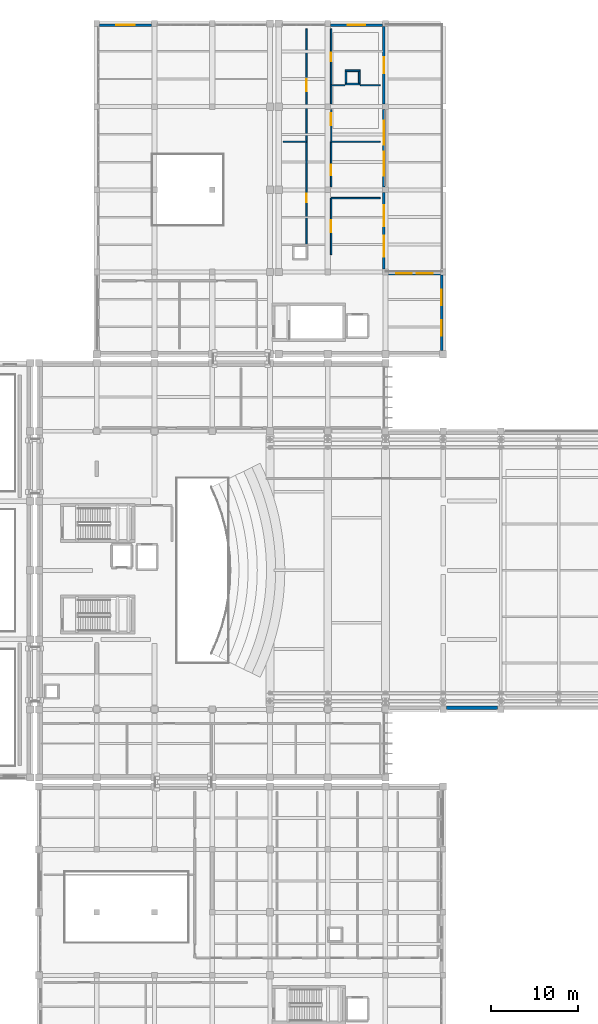
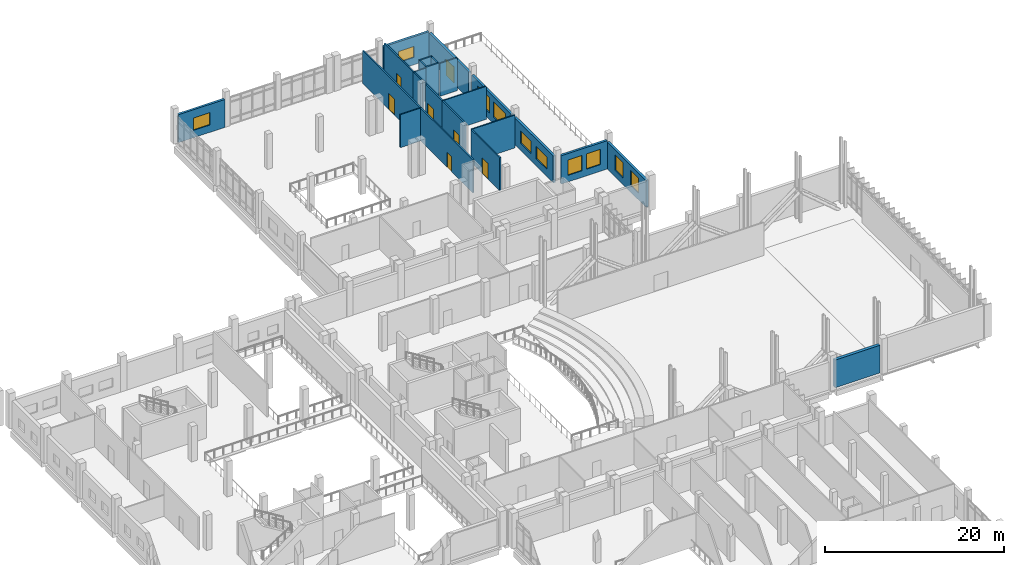
# One storey, part 56 of 73: 24 walls, 10 windows, 7 doors, 17 openings.
"""IFC4 building model written with IfcOpenShell, lengths in metres."""

import ifcopenshell
import ifcopenshell.guid

model = None  # the IFC model being written
_history = None  # IfcOwnerHistory: only IFC2X3 demands one
_inside = {}  # id of a spatial element -> (the spatial element, [elements in it])
_under = {}  # id of a project, library or spatial element -> (it, [spatial elements below it])
_declared = {}  # id of a project -> (the project, [libraries it declares])
_typed = {}  # id of a type object -> (the type object, [elements of that type])
_made_of = {}  # id of a material, layer set ... -> (it, [elements and type objects made of it])


def new_model(schema):
    """Start an empty IFC model of exactly this schema.

    Asked for "IFC4X3", IfcOpenShell would pick the latest addendum, in which some entities
    have other attributes; the version numbers below select the first issue.
    IFC2X3 requires an IfcOwnerHistory on every rooted entity: one is made here for all.
    """
    global model, _history
    if schema == "IFC4X3":
        model = ifcopenshell.file(schema_version=(4, 3, 0, 0))
    else:
        model = ifcopenshell.file(schema=schema)
    _inside.clear()
    _under.clear()
    _declared.clear()
    _typed.clear()
    _made_of.clear()
    _history = None
    if model.schema == "IFC2X3":
        org = make("IfcOrganization", Name="unknown")
        user = make(
            "IfcPersonAndOrganization",
            ThePerson=make("IfcPerson", FamilyName="unknown"),
            TheOrganization=org,
        )
        app = make(
            "IfcApplication",
            ApplicationDeveloper=org,
            Version="unknown",
            ApplicationFullName="unknown",
            ApplicationIdentifier="unknown",
        )
        _history = make(
            "IfcOwnerHistory",
            OwningUser=user,
            OwningApplication=app,
            ChangeAction="ADDED",
            CreationDate=0,
        )
    return model


def make(cls, **values):
    """One entity of the class cls with the attributes given. An attribute that is None is left unset."""
    return model.create_entity(
        cls, **{name: value for name, value in values.items() if value is not None}
    )


def rooted(cls, **values):
    """An entity with a GlobalId (a new one), such as an element, a storey or a relation."""
    return make(cls, GlobalId=ifcopenshell.guid.new(), OwnerHistory=_history, **values)


def si_unit(unit_type, name, prefix=None):
    """IfcSIUnit, for example si_unit("LENGTHUNIT", "METRE", prefix="MILLI")."""
    return make("IfcSIUnit", UnitType=unit_type, Prefix=prefix, Name=name)


def assignment(units):
    """IfcUnitAssignment: the units of a project."""
    return None if units is None else make("IfcUnitAssignment", Units=units)


def point(xyz):
    """IfcCartesianPoint."""
    return None if xyz is None else make("IfcCartesianPoint", Coordinates=xyz)


def direction(xyz):
    """IfcDirection."""
    return None if xyz is None else make("IfcDirection", DirectionRatios=xyz)


def frame(location, z_axis=None, x_axis=None):
    """IfcAxis2Placement3D, a coordinate frame: its origin and axes. An axis left out is left unset."""
    return make(
        "IfcAxis2Placement3D",
        Location=point(location),
        Axis=direction(z_axis),
        RefDirection=direction(x_axis),
    )


def frame_2d(location, x_axis=None):
    """IfcAxis2Placement2D, a coordinate frame in the plane: its origin and x axis."""
    return make(
        "IfcAxis2Placement2D", Location=point(location), RefDirection=direction(x_axis)
    )


def origin():
    """The frame at (0, 0, 0) with its axes left unset."""
    return frame((0.0, 0.0, 0.0))


def place(relative_to, where):
    """IfcLocalPlacement: puts the frame where relative to a parent placement (None: the world)."""
    return make(
        "IfcLocalPlacement", PlacementRelTo=relative_to, RelativePlacement=where
    )


def context(
    kind, dimensions, precision=None, world=None, true_north=None, identifier=None
):
    """IfcGeometricRepresentationContext, for example the 3D "Model" context."""
    return make(
        "IfcGeometricRepresentationContext",
        ContextIdentifier=identifier,
        ContextType=kind,
        CoordinateSpaceDimension=dimensions,
        Precision=precision,
        WorldCoordinateSystem=world,
        TrueNorth=true_north,
    )


def subcontext(parent, identifier, kind, view, scale=None):
    """IfcGeometricRepresentationSubContext, for example "Body" below "Model"."""
    return make(
        "IfcGeometricRepresentationSubContext",
        ContextIdentifier=identifier,
        ContextType=kind,
        ParentContext=parent,
        TargetScale=scale,
        TargetView=view,
    )


def project(units=None, contexts=None):
    """IfcProject with its units and contexts."""
    return rooted(
        "IfcProject",
        Name="project",
        RepresentationContexts=contexts,
        UnitsInContext=assignment(units),
    )


def spatial(cls, under=None, at=None, **own):
    """A site, building, storey or space (cls), placed at a placement, below another one or the project."""
    s = rooted(cls, ObjectPlacement=at, **own)
    if under is not None:
        _under.setdefault(under.id(), (under, []))[1].append(s)
    return s


def profile(cls, at=None, kind="AREA", **sizes):
    """A parametric profile (cls). Its sizes go by their IFC names, for example OverallWidth=200.0."""
    return make(cls, ProfileType=kind, Position=at, **sizes)


def rectangle(**sizes):
    """IfcRectangleProfileDef."""
    return profile("IfcRectangleProfileDef", **sizes)


def extrude(swept, where, along, depth):
    """IfcExtrudedAreaSolid: the profile swept, set in the frame where, extruded along a direction by depth."""
    return make(
        "IfcExtrudedAreaSolid",
        SweptArea=swept,
        Position=where,
        ExtrudedDirection=direction(along),
        Depth=depth,
    )


def shape(context_of_items, identifier, shape_type, items):
    """IfcShapeRepresentation: the items that make up one representation, for example the "Body"."""
    return make(
        "IfcShapeRepresentation",
        ContextOfItems=context_of_items,
        RepresentationIdentifier=identifier,
        RepresentationType=shape_type,
        Items=items,
    )


def material(Name=None, Category=None):
    """IfcMaterial."""
    return make("IfcMaterial", Name=Name, Category=Category)


def layer(
    of_material, thickness, ventilated=None, Name=None, Category=None, Priority=None
):
    """IfcMaterialLayer: one layer of a wall or slab, of a material (None: an air gap)."""
    return make(
        "IfcMaterialLayer",
        Material=of_material,
        LayerThickness=thickness,
        IsVentilated=ventilated,
        Name=Name,
        Category=Category,
        Priority=Priority,
    )


def layer_set(layers, Name=None):
    """IfcMaterialLayerSet."""
    return make("IfcMaterialLayerSet", MaterialLayers=layers, LayerSetName=Name)


def made_of(thing, what):
    """Note that an element or type object is made of a material, layer set ...; save() writes the relation."""
    if what is not None:
        _made_of.setdefault(what.id(), (what, []))[1].append(thing)
    return thing


def type_object(cls, material=None, **own):
    """A type object (cls), such as IfcWallType, which elements share."""
    return made_of(rooted(cls, **own), material)


def element(
    cls,
    number,
    at=None,
    inside=None,
    cuts=None,
    type_object=None,
    material=None,
    context=None,
    identifier="Body",
    shape_type=None,
    held_by="IfcProductDefinitionShape",
    body=None,
    shapes=None,
    **own,
):
    """One element of the class cls, such as IfcWall. Its Tag is "e" and its number.

    at: its placement. inside: the storey or other place that contains it. cuts: it is an
    opening in that element (IfcRelVoidsElement). A single representation is given by context,
    identifier, shape_type and body (its items); several are given by shapes. held_by: the class
    of the entity that holds the representations. save() writes the other relations.
    """
    e = rooted(cls, Tag="e%d" % number, ObjectPlacement=at, **own)
    if body is not None:
        shapes = [shape(context, identifier, shape_type, body)]
    if shapes is not None:
        e.Representation = make(held_by, Representations=shapes)
    if inside is not None:
        _inside.setdefault(inside.id(), (inside, []))[1].append(e)
    if cuts is not None:
        rooted(
            "IfcRelVoidsElement", RelatingBuildingElement=cuts, RelatedOpeningElement=e
        )
    if type_object is not None:
        _typed.setdefault(type_object.id(), (type_object, []))[1].append(e)
    return made_of(e, material)


def fill(opening, filler):
    """IfcRelFillsElement: the door or window that sits in an opening."""
    return rooted(
        "IfcRelFillsElement",
        RelatingOpeningElement=opening,
        RelatedBuildingElement=filler,
    )


def aggregate(whole, parts):
    """IfcRelAggregates: a whole, such as a stair, and the parts it consists of."""
    return rooted("IfcRelAggregates", RelatingObject=whole, RelatedObjects=parts)


def save(model, path):
    """Write the relations noted so far, then the file.

    IfcRelAggregates (storeys below a building ...), IfcRelContainedInSpatialStructure (elements
    in a storey), IfcRelDefinesByType, IfcRelAssociatesMaterial and IfcRelDeclares: one each for
    every whole, place, type object, material and project.
    """
    for whole, parts in _under.values():
        aggregate(whole, parts)
    for where, things in _inside.values():
        rooted(
            "IfcRelContainedInSpatialStructure",
            RelatedElements=things,
            RelatingStructure=where,
        )
    for kind, things in _typed.values():
        rooted("IfcRelDefinesByType", RelatedObjects=things, RelatingType=kind)
    for what, things in _made_of.values():
        rooted("IfcRelAssociatesMaterial", RelatedObjects=things, RelatingMaterial=what)
    for by, libraries in _declared.values():
        rooted("IfcRelDeclares", RelatingContext=by, RelatedDefinitions=libraries)
    model.write(path)


model = new_model("IFC4")

# Units and contexts
model_context = context("Model", 3, precision=1e-05, world=origin(), true_north=direction((0.0, 1.0)))
body_context = subcontext(model_context, "Body", "Model", "MODEL_VIEW")
ifc_project = project(units=[si_unit("LENGTHUNIT", "METRE"), si_unit("AREAUNIT", "SQUARE_METRE"), si_unit("VOLUMEUNIT", "CUBIC_METRE"), si_unit("PLANEANGLEUNIT", "RADIAN"), si_unit("MASSUNIT", "GRAM", prefix="KILO")], contexts=[model_context])

# Site, building, storey
site_placement = place(None, origin())
site = spatial("IfcSite", under=ifc_project, at=site_placement, CompositionType="ELEMENT")
building_placement = place(site_placement, origin())
building = spatial("IfcBuilding", under=site, at=building_placement, Name="Kelarvand Opera House", CompositionType="ELEMENT")
storey_placement = place(building_placement, frame((0.0, 0.0, 10.199951171875)))
storey = spatial("IfcBuildingStorey", under=building, at=storey_placement, Name="L02", CompositionType="ELEMENT", Elevation=10.199951171875)

# Walls
ifc_material_1 = material(Name="Concrete C35/45", Category="concrete")
ifc_layer_1 = layer(ifc_material_1, 0.39990234375, Name="Concrete C35/45", Category="concrete")
ifc_layer_set_1 = layer_set([ifc_layer_1], Name="Concrete C35/45")
wall_type_1 = type_object("IfcWallType", Name="Acoustic Brick-Travertine Double Wall 400", PredefinedType="SOLIDWALL", material=ifc_layer_set_1)
wall_1_placement = place(storey_placement, frame((141.425048828125, 46.780029296875, 0.0), z_axis=(0.0, 0.0, 1.0), x_axis=(-1.0, 0.0, 0.0)))
element("IfcWall", 1, at=wall_1_placement, inside=storey, type_object=wall_type_1, Name="V1 L02 Exterior Wall EW-400 (127)", PredefinedType="SOLIDWALL", context=body_context, shape_type="SweptSolid", body=[
    extrude(rectangle(XDim=5.85009765625, YDim=0.39990234375, at=frame_2d((2.925048828125, 0.0))), origin(), (0.0, 0.0, 1.0), 3.77197265625),
])
ifc_material_2 = material(Name="Acoustic double-stud gypsum partition")
ifc_layer_2 = layer(ifc_material_2, 0.14990234375, Name="Acoustic double-stud gypsum partition")
ifc_layer_set_2 = layer_set([ifc_layer_2], Name="Acoustic double-stud gypsum partition")
wall_type_2 = type_object("IfcWallType", Name="Acoustic Room Partition Wall 150", PredefinedType="PARTITIONING", material=ifc_layer_set_2)
wall_2_placement = place(storey_placement, frame((116.89990234375, 111.5, 0.0), z_axis=(0.0, 0.0, 1.0), x_axis=(1.0, 0.0, 0.0)))
element("IfcWall", 2, at=wall_2_placement, inside=storey, type_object=wall_type_2, Name="V5 L02 Partition Wall IW-150 (514)", PredefinedType="PARTITIONING", context=body_context, shape_type="SweptSolid", body=[
    extrude(rectangle(XDim=2.7001953125, YDim=0.14990234375, at=frame_2d((1.35009765625, 0.0))), origin(), (0.0, 0.0, 1.0), 4.491943359375),
])
for number, where, z_axis, x_axis, name in (
    (3, (122.39990234375, 105.050048828125, 0.0), (0.0, 0.0, 1.0), (1.0, 0.0, 0.0), "V5 L02 Partition Wall IW-150 (517)"),
    (4, (122.39990234375, 111.5, 0.0), (0.0, 0.0, 1.0), (1.0, 0.0, 0.0), "V5 L02 Partition Wall IW-150 (519)"),
):
    element("IfcWall", number, at=place(storey_placement, frame(where, z_axis=z_axis, x_axis=x_axis)), inside=storey, type_object=wall_type_2, Name=name, PredefinedType="PARTITIONING", context=body_context, shape_type="SweptSolid", body=[
        extrude(rectangle(XDim=5.60009765625, YDim=0.14990234375, at=frame_2d((2.800048828125, 0.0))), origin(), (0.0, 0.0, 1.0), 4.491943359375),
    ])
wall_3_placement = place(storey_placement, frame((122.39990234375, 117.949951171875, 0.0), z_axis=(0.0, 0.0, 1.0), x_axis=(1.0, 0.0, 0.0)))
element("IfcWall", 5, at=wall_3_placement, inside=storey, type_object=wall_type_2, Name="V5 L02 Partition Wall IW-150 (522)", PredefinedType="PARTITIONING", context=body_context, shape_type="SweptSolid", body=[
    extrude(rectangle(XDim=1.56005859375, YDim=0.14990234375, at=frame_2d((0.780029296875, 0.0))), origin(), (0.0, 0.0, 1.0), 4.491943359375),
])
wall_4_placement = place(storey_placement, frame((125.739990234375, 117.949951171875, 0.0), z_axis=(0.0, 0.0, 1.0), x_axis=(1.0, 0.0, 0.0)))
element("IfcWall", 6, at=wall_4_placement, inside=storey, type_object=wall_type_2, Name="V5 L02 Partition Wall IW-150 (523)", PredefinedType="PARTITIONING", context=body_context, shape_type="SweptSolid", body=[
    extrude(rectangle(XDim=2.260009765625, YDim=0.14990234375, at=frame_2d((1.1298828125, 0.0))), origin(), (0.0, 0.0, 1.0), 4.491943359375),
])

# Wall, opening, door
ifc_layer_3 = layer(ifc_material_1, 0.179931640625, Name="Concrete C35/45", Category="concrete")
ifc_layer_set_3 = layer_set([ifc_layer_3], Name="Concrete C35/45")
wall_type_3 = type_object("IfcWallType", Name="Corridor Fire-Rated Partition Wall 180 EI90", PredefinedType="PARTITIONING", material=ifc_layer_set_3)
wall_5_placement = place(storey_placement, frame((119.60009765625, 99.739990234375, 0.0), z_axis=(0.0, 0.0, 1.0), x_axis=(0.0, 1.0, 0.0)))
wall_5 = element("IfcWall", 7, at=wall_5_placement, inside=storey, type_object=wall_type_3, Name="V5 L02 Partition Wall IW-90 (513)", PredefinedType="PARTITIONING", context=body_context, shape_type="SweptSolid", body=[
    extrude(rectangle(XDim=11.760009765625, YDim=0.179931640625, at=frame_2d((5.8798828125, 0.0))), origin(), (0.0, 0.0, 1.0), 4.491943359375),
])
opening_1_placement = place(wall_5_placement, frame((4.820068359375, 0.0, 0.0)))
opening_1 = element("IfcOpeningElement", 8, at=opening_1_placement, cuts=wall_5, Name="Opening D-09", PredefinedType="OPENING", context=body_context, shape_type="SweptSolid", body=[
    extrude(rectangle(XDim=0.97998046875, YDim=2.080078125, at=frame_2d((0.489990234375, 1.0400390625))), frame((0.0, 0.10009765625, 0.0), z_axis=(0.0, -1.0, 0.0), x_axis=(1.0, 0.0, 0.0)), (0.0, 0.0, 1.0), 0.199951171875),
])
ifc_material_3 = material(Name="Acoustic walnut-veneered hardwood", Category="wood")
door_type_1 = type_object("IfcDoorType", Name="Soloist Acoustic Timber Door 980x2080", OperationType="NOTDEFINED", PredefinedType="DOOR", material=ifc_material_3)
door_1_placement = place(opening_1_placement, origin())
door_1 = element("IfcDoor", 9, at=door_1_placement, inside=storey, type_object=door_type_1, Name="V5 L02 Door D-09 (229)", OperationType="SINGLE_SWING_LEFT", OverallHeight=2.080078125, OverallWidth=0.97998046875, PredefinedType="DOOR", context=body_context, shape_type="SweptSolid", body=[
    extrude(rectangle(XDim=0.97998046875, YDim=2.080078125, at=frame_2d((0.489990234375, 1.0400390625))), frame((0.0, 0.02490234375, 0.0), z_axis=(0.0, -1.0, 0.0), x_axis=(1.0, 0.0, 0.0)), (0.0, 0.0, 1.0), 0.050048828125),
])
fill(opening_1, door_1)

wall_6_placement = place(storey_placement, frame((119.60009765625, 111.5, 0.0), z_axis=(0.0, 0.0, 1.0), x_axis=(0.0, 1.0, 0.0)))
wall_6 = element("IfcWall", 10, at=wall_6_placement, inside=storey, type_object=wall_type_3, Name="V5 L02 Partition Wall IW-90 (515)", PredefinedType="PARTITIONING", context=body_context, shape_type="SweptSolid", body=[
    extrude(rectangle(XDim=12.89990234375, YDim=0.179931640625, at=frame_2d((6.449951171875, 0.0))), origin(), (0.0, 0.0, 1.0), 4.491943359375),
])
opening_2_placement = place(wall_6_placement, frame((5.77490234375, 0.0, 0.0)))
opening_2 = element("IfcOpeningElement", 11, at=opening_2_placement, cuts=wall_6, Name="Opening D-12", PredefinedType="OPENING", context=body_context, shape_type="SweptSolid", body=[
    extrude(rectangle(XDim=1.35009765625, YDim=2.159912109375, at=frame_2d((0.675048828125, 1.080078125))), frame((0.0, 0.10009765625, 0.0), z_axis=(0.0, -1.0, 0.0), x_axis=(1.0, 0.0, 0.0)), (0.0, 0.0, 1.0), 0.199951171875),
])
door_type_2 = type_object("IfcDoorType", Name="Wardrobe Studio Leaf-and-Half Door 1350x2160", OperationType="NOTDEFINED", PredefinedType="DOOR", material=ifc_material_3)
door_2_placement = place(opening_2_placement, origin())
door_2 = element("IfcDoor", 12, at=door_2_placement, inside=storey, type_object=door_type_2, Name="V5 L02 Door D-12 (230)", OperationType="SINGLE_SWING_RIGHT", OverallHeight=2.159912109375, OverallWidth=1.35009765625, PredefinedType="DOOR", context=body_context, shape_type="SweptSolid", body=[
    extrude(rectangle(XDim=1.35009765625, YDim=2.159912109375, at=frame_2d((0.675048828125, 1.080078125))), frame((0.0, 0.02490234375, 0.0), z_axis=(0.0, -1.0, 0.0), x_axis=(1.0, 0.0, 0.0)), (0.0, 0.0, 1.0), 0.050048828125),
])
fill(opening_2, door_2)

wall_7_placement = place(storey_placement, frame((122.39990234375, 98.60009765625, 0.0), z_axis=(0.0, 0.0, 1.0), x_axis=(0.0, 1.0, 0.0)))
wall_7 = element("IfcWall", 13, at=wall_7_placement, inside=storey, type_object=wall_type_3, Name="V5 L02 Partition Wall IW-90 (516)", PredefinedType="PARTITIONING", context=body_context, shape_type="SweptSolid", body=[
    extrude(rectangle(XDim=6.449951171875, YDim=0.179931640625, at=frame_2d((3.22509765625, 0.0))), origin(), (0.0, 0.0, 1.0), 4.491943359375),
])
opening_3_placement = place(wall_7_placement, frame((2.550048828125, 0.0, 0.0)))
opening_3 = element("IfcOpeningElement", 14, at=opening_3_placement, cuts=wall_7, Name="Opening D-12", PredefinedType="OPENING", context=body_context, shape_type="SweptSolid", body=[
    extrude(rectangle(XDim=1.35009765625, YDim=2.159912109375, at=frame_2d((0.675048828125, 1.080078125))), frame((0.0, 0.10009765625, 0.0), z_axis=(0.0, -1.0, 0.0), x_axis=(1.0, 0.0, 0.0)), (0.0, 0.0, 1.0), 0.199951171875),
])
door_3_placement = place(opening_3_placement, origin())
door_3 = element("IfcDoor", 15, at=door_3_placement, inside=storey, type_object=door_type_2, Name="V5 L02 Door D-12 (231)", OperationType="SINGLE_SWING_LEFT", OverallHeight=2.159912109375, OverallWidth=1.35009765625, PredefinedType="DOOR", context=body_context, shape_type="SweptSolid", body=[
    extrude(rectangle(XDim=1.35009765625, YDim=2.159912109375, at=frame_2d((0.675048828125, 1.080078125))), frame((0.0, 0.02490234375, 0.0), z_axis=(0.0, -1.0, 0.0), x_axis=(1.0, 0.0, 0.0)), (0.0, 0.0, 1.0), 0.050048828125),
])
fill(opening_3, door_3)

wall_8_placement = place(storey_placement, frame((122.39990234375, 106.324951171875, 0.0), z_axis=(0.0, 0.0, 1.0), x_axis=(0.0, 1.0, 0.0)))
wall_8 = element("IfcWall", 16, at=wall_8_placement, inside=storey, type_object=wall_type_3, Name="V5 L02 Partition Wall IW-90 (518)", PredefinedType="PARTITIONING", context=body_context, shape_type="SweptSolid", body=[
    extrude(rectangle(XDim=5.175048828125, YDim=0.179931640625, at=frame_2d((2.58740234375, 0.0))), origin(), (0.0, 0.0, 1.0), 4.491943359375),
])
opening_4_placement = place(wall_8_placement, frame((1.35009765625, 0.0, 0.0)))
opening_4 = element("IfcOpeningElement", 17, at=opening_4_placement, cuts=wall_8, Name="Opening D-06", PredefinedType="OPENING", context=body_context, shape_type="SweptSolid", body=[
    extrude(rectangle(XDim=1.199951171875, YDim=2.10009765625, at=frame_2d((0.60009765625, 1.050048828125))), frame((0.0, 0.10009765625, 0.0), z_axis=(0.0, -1.0, 0.0), x_axis=(1.0, 0.0, 0.0)), (0.0, 0.0, 1.0), 0.199951171875),
])
door_type_3 = type_object("IfcDoorType", Name="Accessible Suite Timber Door 1200x2100", OperationType="NOTDEFINED", PredefinedType="DOOR", material=ifc_material_3)
door_4_placement = place(opening_4_placement, origin())
door_4 = element("IfcDoor", 18, at=door_4_placement, inside=storey, type_object=door_type_3, Name="V5 L02 Door D-06 (232)", OperationType="SINGLE_SWING_RIGHT", OverallHeight=2.10009765625, OverallWidth=1.199951171875, PredefinedType="DOOR", context=body_context, shape_type="SweptSolid", body=[
    extrude(rectangle(XDim=1.199951171875, YDim=2.10009765625, at=frame_2d((0.60009765625, 1.050048828125))), frame((0.0, 0.02490234375, 0.0), z_axis=(0.0, -1.0, 0.0), x_axis=(1.0, 0.0, 0.0)), (0.0, 0.0, 1.0), 0.050048828125),
])
fill(opening_4, door_4)

wall_9_placement = place(storey_placement, frame((122.39990234375, 111.5, 0.0), z_axis=(0.0, 0.0, 1.0), x_axis=(0.0, 1.0, 0.0)))
wall_9 = element("IfcWall", 19, at=wall_9_placement, inside=storey, type_object=wall_type_3, Name="V5 L02 Partition Wall IW-90 (520)", PredefinedType="PARTITIONING", context=body_context, shape_type="SweptSolid", body=[
    extrude(rectangle(XDim=3.675048828125, YDim=0.179931640625, at=frame_2d((1.83740234375, 0.0))), origin(), (0.0, 0.0, 1.0), 4.491943359375),
])
opening_5_placement = place(wall_9_placement, frame((1.884033203125, 0.0, 0.0)))
opening_5 = element("IfcOpeningElement", 20, at=opening_5_placement, cuts=wall_9, Name="Opening D-12", PredefinedType="OPENING", context=body_context, shape_type="SweptSolid", body=[
    extrude(rectangle(XDim=1.35009765625, YDim=2.159912109375, at=frame_2d((0.675048828125, 1.080078125))), frame((0.0, 0.10009765625, 0.0), z_axis=(0.0, -1.0, 0.0), x_axis=(1.0, 0.0, 0.0)), (0.0, 0.0, 1.0), 0.199951171875),
])
door_5_placement = place(opening_5_placement, origin())
door_5 = element("IfcDoor", 21, at=door_5_placement, inside=storey, type_object=door_type_2, Name="V5 L02 Door D-12 (233)", OperationType="SINGLE_SWING_LEFT", OverallHeight=2.159912109375, OverallWidth=1.35009765625, PredefinedType="DOOR", context=body_context, shape_type="SweptSolid", body=[
    extrude(rectangle(XDim=1.35009765625, YDim=2.159912109375, at=frame_2d((0.675048828125, 1.080078125))), frame((0.0, 0.02490234375, 0.0), z_axis=(0.0, -1.0, 0.0), x_axis=(1.0, 0.0, 0.0)), (0.0, 0.0, 1.0), 0.050048828125),
])
fill(opening_5, door_5)

# Wall
wall_10_placement = place(storey_placement, frame((122.39990234375, 115.824951171875, 0.0), z_axis=(0.0, 0.0, 1.0), x_axis=(0.0, 1.0, 0.0)))
element("IfcWall", 22, at=wall_10_placement, inside=storey, type_object=wall_type_3, Name="V5 L02 Partition Wall IW-90 (521)", PredefinedType="PARTITIONING", context=body_context, shape_type="SweptSolid", body=[
    extrude(rectangle(XDim=2.125, YDim=0.179931640625, at=frame_2d((1.0625, 0.0))), origin(), (0.0, 0.0, 1.0), 4.491943359375),
])

# Wall, opening, door
wall_11_placement = place(storey_placement, frame((122.39990234375, 117.949951171875, 0.0), z_axis=(0.0, 0.0, 1.0), x_axis=(0.0, 1.0, 0.0)))
wall_11 = element("IfcWall", 23, at=wall_11_placement, inside=storey, type_object=wall_type_3, Name="V5 L02 Partition Wall IW-90 (524)", PredefinedType="PARTITIONING", context=body_context, shape_type="SweptSolid", body=[
    extrude(rectangle(XDim=6.449951171875, YDim=0.179931640625, at=frame_2d((3.22509765625, 0.0))), origin(), (0.0, 0.0, 1.0), 4.491943359375),
])
opening_6_placement = place(wall_11_placement, frame((2.735107421875, 0.0, 0.0)))
opening_6 = element("IfcOpeningElement", 24, at=opening_6_placement, cuts=wall_11, Name="Opening D-09", PredefinedType="OPENING", context=body_context, shape_type="SweptSolid", body=[
    extrude(rectangle(XDim=0.97998046875, YDim=2.080078125, at=frame_2d((0.489990234375, 1.0400390625))), frame((0.0, 0.10009765625, 0.0), z_axis=(0.0, -1.0, 0.0), x_axis=(1.0, 0.0, 0.0)), (0.0, 0.0, 1.0), 0.199951171875),
])
door_6_placement = place(opening_6_placement, origin())
door_6 = element("IfcDoor", 25, at=door_6_placement, inside=storey, type_object=door_type_1, Name="V5 L02 Door D-09 (234)", OperationType="SINGLE_SWING_RIGHT", OverallHeight=2.080078125, OverallWidth=0.97998046875, PredefinedType="DOOR", context=body_context, shape_type="SweptSolid", body=[
    extrude(rectangle(XDim=0.97998046875, YDim=2.080078125, at=frame_2d((0.489990234375, 1.0400390625))), frame((0.0, 0.02490234375, 0.0), z_axis=(0.0, -1.0, 0.0), x_axis=(1.0, 0.0, 0.0)), (0.0, 0.0, 1.0), 0.050048828125),
])
fill(opening_6, door_6)

# Wall, openings, windows
ifc_layer_4 = layer(ifc_material_1, 0.300048828125, Name="Concrete C35/45", Category="concrete")
ifc_layer_set_4 = layer_set([ifc_layer_4], Name="Concrete C35/45")
wall_type_4 = type_object("IfcWallType", Name="Insulated Buff Brick Facade Wall 300", PredefinedType="SOLIDWALL", material=ifc_layer_set_4)
wall_12_placement = place(storey_placement, frame((135.02001953125, 96.27490234375, 0.0), z_axis=(0.0, 0.0, 1.0), x_axis=(0.0, -1.0, 0.0)))
wall_12 = element("IfcWall", 26, at=wall_12_placement, inside=storey, type_object=wall_type_4, Name="V5 L02 Exterior Wall EW-300 (618)", PredefinedType="SOLIDWALL", context=body_context, shape_type="SweptSolid", body=[
    extrude(rectangle(XDim=8.664794921875, YDim=0.300048828125, at=frame_2d((4.33251953125, 0.0))), origin(), (0.0, 0.0, 1.0), 3.672119140625),
])
opening_7_placement = place(wall_12_placement, frame((1.699951171875, 0.0, 0.89990234375)))
opening_7 = element("IfcOpeningElement", 27, at=opening_7_placement, cuts=wall_12, Name="Opening WN-05", PredefinedType="OPENING", context=body_context, shape_type="SweptSolid", body=[
    extrude(rectangle(XDim=1.800048828125, YDim=2.10009765625, at=frame_2d((0.89990234375, 1.050048828125))), frame((0.0, 0.16015625, 0.0), z_axis=(0.0, -1.0, 0.0), x_axis=(1.0, 0.0, 0.0)), (0.0, 0.0, 1.0), 0.320068359375),
])
opening_8_placement = place(wall_12_placement, frame((5.166015625, 0.0, 0.89990234375)))
opening_8 = element("IfcOpeningElement", 28, at=opening_8_placement, cuts=wall_12, Name="Opening WN-05", PredefinedType="OPENING", context=body_context, shape_type="SweptSolid", body=[
    extrude(rectangle(XDim=1.800048828125, YDim=2.10009765625, at=frame_2d((0.89990234375, 1.050048828125))), frame((0.0, 0.16015625, 0.0), z_axis=(0.0, -1.0, 0.0), x_axis=(1.0, 0.0, 0.0)), (0.0, 0.0, 1.0), 0.320068359375),
])
ifc_material_4 = material(Name="Thermally broken aluminium and low-E double glazing", Category="aluminium")
window_type_1 = type_object("IfcWindowType", Name="Recessed Aluminium Thermal Window 1800x2100 WN-05", PartitioningType="SINGLE_PANEL", PredefinedType="WINDOW", material=ifc_material_4)
window_1_placement = place(opening_7_placement, origin())
window_1 = element("IfcWindow", 29, at=window_1_placement, inside=storey, type_object=window_type_1, Name="V5 L02 Facade Window WN-05 (292)", OverallHeight=2.10009765625, OverallWidth=1.800048828125, PartitioningType="SINGLE_PANEL", PredefinedType="WINDOW", context=body_context, shape_type="SweptSolid", body=[
    extrude(rectangle(XDim=1.800048828125, YDim=2.10009765625, at=frame_2d((0.89990234375, 1.050048828125))), frame((0.0, 0.030029296875, 0.0), z_axis=(0.0, -1.0, 0.0), x_axis=(1.0, 0.0, 0.0)), (0.0, 0.0, 1.0), 0.06005859375),
])
fill(opening_7, window_1)
window_2_placement = place(opening_8_placement, origin())
window_2 = element("IfcWindow", 30, at=window_2_placement, inside=storey, type_object=window_type_1, Name="V5 L02 Facade Window WN-05 (293)", OverallHeight=2.10009765625, OverallWidth=1.800048828125, PartitioningType="SINGLE_PANEL", PredefinedType="WINDOW", context=body_context, shape_type="SweptSolid", body=[
    extrude(rectangle(XDim=1.800048828125, YDim=2.10009765625, at=frame_2d((0.89990234375, 1.050048828125))), frame((0.0, 0.030029296875, 0.0), z_axis=(0.0, -1.0, 0.0), x_axis=(1.0, 0.0, 0.0)), (0.0, 0.0, 1.0), 0.06005859375),
])
fill(opening_8, window_2)

# Wall, opening, window
wall_13_placement = place(storey_placement, frame((95.925048828125, 124.820068359375, 0.0), z_axis=(0.0, 0.0, 1.0), x_axis=(1.0, 0.0, 0.0)))
wall_13 = element("IfcWall", 31, at=wall_13_placement, inside=storey, type_object=wall_type_4, Name="V5 L02 Exterior Wall EW-300 (627)", PredefinedType="SOLIDWALL", context=body_context, shape_type="SweptSolid", body=[
    extrude(rectangle(XDim=5.949951171875, YDim=0.300048828125, at=frame_2d((2.97509765625, 0.0))), origin(), (0.0, 0.0, 1.0), 3.822021484375),
])
opening_9_placement = place(wall_13_placement, frame((1.925048828125, 0.0, 1.0)))
opening_9 = element("IfcOpeningElement", 32, at=opening_9_placement, cuts=wall_13, Name="Opening WN-19", PredefinedType="OPENING", context=body_context, shape_type="SweptSolid", body=[
    extrude(rectangle(XDim=2.10009765625, YDim=1.699951171875, at=frame_2d((1.050048828125, 0.85009765625))), frame((0.0, 0.16015625, 0.0), z_axis=(0.0, -1.0, 0.0), x_axis=(1.0, 0.0, 0.0)), (0.0, 0.0, 1.0), 0.320068359375),
])
window_type_2 = type_object("IfcWindowType", Name="Recessed Aluminium Thermal Window 2100x1700 WN-19", PartitioningType="SINGLE_PANEL", PredefinedType="WINDOW", material=ifc_material_4)
window_3_placement = place(opening_9_placement, origin())
window_3 = element("IfcWindow", 33, at=window_3_placement, inside=storey, type_object=window_type_2, Name="V5 L02 Facade Window WN-19 (298)", OverallHeight=1.699951171875, OverallWidth=2.10009765625, PartitioningType="SINGLE_PANEL", PredefinedType="WINDOW", context=body_context, shape_type="SweptSolid", body=[
    extrude(rectangle(XDim=2.10009765625, YDim=1.699951171875, at=frame_2d((1.050048828125, 0.85009765625))), frame((0.0, 0.030029296875, 0.0), z_axis=(0.0, -1.0, 0.0), x_axis=(1.0, 0.0, 0.0)), (0.0, 0.0, 1.0), 0.06005859375),
])
fill(opening_9, window_3)

wall_14_placement = place(storey_placement, frame((122.324951171875, 124.820068359375, 0.0), z_axis=(0.0, 0.0, 1.0), x_axis=(1.0, 0.0, 0.0)))
wall_14 = element("IfcWall", 34, at=wall_14_placement, inside=storey, type_object=wall_type_4, Name="V5 L02 Exterior Wall EW-300 (628)", PredefinedType="SOLIDWALL", context=body_context, shape_type="SweptSolid", body=[
    extrude(rectangle(XDim=5.949951171875, YDim=0.300048828125, at=frame_2d((2.97509765625, 0.0))), origin(), (0.0, 0.0, 1.0), 3.822021484375),
])
opening_10_placement = place(wall_14_placement, frame((1.97509765625, 0.0, 1.0)))
opening_10 = element("IfcOpeningElement", 35, at=opening_10_placement, cuts=wall_14, Name="Opening WN-28", PredefinedType="OPENING", context=body_context, shape_type="SweptSolid", body=[
    extrude(rectangle(XDim=2.0, YDim=1.5, at=frame_2d((1.0, 0.75))), frame((0.0, 0.16015625, 0.0), z_axis=(0.0, -1.0, 0.0), x_axis=(1.0, 0.0, 0.0)), (0.0, 0.0, 1.0), 0.320068359375),
])
window_type_3 = type_object("IfcWindowType", Name="Recessed Aluminium Thermal Window 2000x1500 WN-28", PartitioningType="SINGLE_PANEL", PredefinedType="WINDOW", material=ifc_material_4)
window_4_placement = place(opening_10_placement, origin())
window_4 = element("IfcWindow", 36, at=window_4_placement, inside=storey, type_object=window_type_3, Name="V5 L02 Facade Window WN-28 (299)", OverallHeight=1.5, OverallWidth=2.0, PartitioningType="SINGLE_PANEL", PredefinedType="WINDOW", context=body_context, shape_type="SweptSolid", body=[
    extrude(rectangle(XDim=2.0, YDim=1.5, at=frame_2d((1.0, 0.75))), frame((0.0, 0.030029296875, 0.0), z_axis=(0.0, -1.0, 0.0), x_axis=(1.0, 0.0, 0.0)), (0.0, 0.0, 1.0), 0.06005859375),
])
fill(opening_10, window_4)

# Wall, opening, door
wall_15_placement = place(storey_placement, frame((128.419921875, 124.675048828125, 0.0), z_axis=(0.0, 0.0, 1.0), x_axis=(0.0, -1.0, 0.0)))
wall_15 = element("IfcWall", 37, at=wall_15_placement, inside=storey, type_object=wall_type_4, Name="V5 L02 Exterior Wall EW-300 (629)", PredefinedType="SOLIDWALL", context=body_context, shape_type="SweptSolid", body=[
    extrude(rectangle(XDim=8.85009765625, YDim=0.300048828125, at=frame_2d((4.425048828125, 0.0))), origin(), (0.0, 0.0, 1.0), 3.672119140625),
])
opening_11_placement = place(wall_15_placement, frame((3.52490234375, 0.0, 0.0)))
opening_11 = element("IfcOpeningElement", 38, at=opening_11_placement, cuts=wall_15, Name="Opening TD-180", PredefinedType="OPENING", context=body_context, shape_type="SweptSolid", body=[
    extrude(rectangle(XDim=1.800048828125, YDim=2.199951171875, at=frame_2d((0.89990234375, 1.10009765625))), frame((0.0, 0.16015625, 0.0), z_axis=(0.0, -1.0, 0.0), x_axis=(1.0, 0.0, 0.0)), (0.0, 0.0, 1.0), 0.320068359375),
])
ifc_material_5 = material(Name="Thermally broken bronze-anodised aluminium and safety glass", Category="aluminium")
door_type_4 = type_object("IfcDoorType", Name="Glazed Planted Roof Terrace Double Door 1800x2200", OperationType="NOTDEFINED", PredefinedType="DOOR", material=ifc_material_5)
door_7_placement = place(opening_11_placement, origin())
door_7 = element("IfcDoor", 39, at=door_7_placement, inside=storey, type_object=door_type_4, Name="V5 L02 Planted Terrace Door 4", OperationType="DOUBLE_DOOR_SINGLE_SWING", OverallHeight=2.199951171875, OverallWidth=1.800048828125, PredefinedType="DOOR", context=body_context, shape_type="SweptSolid", body=[
    extrude(rectangle(XDim=1.800048828125, YDim=2.199951171875, at=frame_2d((0.89990234375, 1.10009765625))), frame((0.0, 0.02490234375, 0.0), z_axis=(0.0, -1.0, 0.0), x_axis=(1.0, 0.0, 0.0)), (0.0, 0.0, 1.0), 0.050048828125),
])
fill(opening_11, door_7)

# Wall, openings, windows
wall_16_placement = place(storey_placement, frame((128.419921875, 115.175048828125, 0.0), z_axis=(0.0, 0.0, 1.0), x_axis=(0.0, -1.0, 0.0)))
wall_16 = element("IfcWall", 40, at=wall_16_placement, inside=storey, type_object=wall_type_4, Name="V5 L02 Exterior Wall EW-300 (630)", PredefinedType="SOLIDWALL", context=body_context, shape_type="SweptSolid", body=[
    extrude(rectangle(XDim=8.85009765625, YDim=0.300048828125, at=frame_2d((4.425048828125, 0.0))), origin(), (0.0, 0.0, 1.0), 3.672119140625),
])
opening_12_placement = place(wall_16_placement, frame((1.304931640625, 0.0, 0.89990234375)))
opening_12 = element("IfcOpeningElement", 41, at=opening_12_placement, cuts=wall_16, Name="Opening WN-08", PredefinedType="OPENING", context=body_context, shape_type="SweptSolid", body=[
    extrude(rectangle(XDim=2.699951171875, YDim=2.10009765625, at=frame_2d((1.35009765625, 1.050048828125))), frame((0.0, 0.16015625, 0.0), z_axis=(0.0, -1.0, 0.0), x_axis=(1.0, 0.0, 0.0)), (0.0, 0.0, 1.0), 0.320068359375),
])
opening_13_placement = place(wall_16_placement, frame((4.844970703125, 0.0, 0.89990234375)))
opening_13 = element("IfcOpeningElement", 42, at=opening_13_placement, cuts=wall_16, Name="Opening WN-08", PredefinedType="OPENING", context=body_context, shape_type="SweptSolid", body=[
    extrude(rectangle(XDim=2.699951171875, YDim=2.10009765625, at=frame_2d((1.35009765625, 1.050048828125))), frame((0.0, 0.16015625, 0.0), z_axis=(0.0, -1.0, 0.0), x_axis=(1.0, 0.0, 0.0)), (0.0, 0.0, 1.0), 0.320068359375),
])
window_type_4 = type_object("IfcWindowType", Name="Recessed Aluminium Thermal Window 2700x2100 WN-08", PartitioningType="SINGLE_PANEL", PredefinedType="WINDOW", material=ifc_material_4)
window_5_placement = place(opening_12_placement, origin())
window_5 = element("IfcWindow", 43, at=window_5_placement, inside=storey, type_object=window_type_4, Name="V5 L02 Facade Window WN-08 (300)", OverallHeight=2.10009765625, OverallWidth=2.699951171875, PartitioningType="SINGLE_PANEL", PredefinedType="WINDOW", context=body_context, shape_type="SweptSolid", body=[
    extrude(rectangle(XDim=2.699951171875, YDim=2.10009765625, at=frame_2d((1.35009765625, 1.050048828125))), frame((0.0, 0.030029296875, 0.0), z_axis=(0.0, -1.0, 0.0), x_axis=(1.0, 0.0, 0.0)), (0.0, 0.0, 1.0), 0.06005859375),
])
fill(opening_12, window_5)
window_6_placement = place(opening_13_placement, origin())
window_6 = element("IfcWindow", 44, at=window_6_placement, inside=storey, type_object=window_type_4, Name="V5 L02 Facade Window WN-08 (301)", OverallHeight=2.10009765625, OverallWidth=2.699951171875, PartitioningType="SINGLE_PANEL", PredefinedType="WINDOW", context=body_context, shape_type="SweptSolid", body=[
    extrude(rectangle(XDim=2.699951171875, YDim=2.10009765625, at=frame_2d((1.35009765625, 1.050048828125))), frame((0.0, 0.030029296875, 0.0), z_axis=(0.0, -1.0, 0.0), x_axis=(1.0, 0.0, 0.0)), (0.0, 0.0, 1.0), 0.06005859375),
])
fill(opening_13, window_6)

wall_17_placement = place(storey_placement, frame((128.419921875, 105.675048828125, 0.0), z_axis=(0.0, 0.0, 1.0), x_axis=(0.0, -1.0, 0.0)))
wall_17 = element("IfcWall", 45, at=wall_17_placement, inside=storey, type_object=wall_type_4, Name="V5 L02 Exterior Wall EW-300 (631)", PredefinedType="SOLIDWALL", context=body_context, shape_type="SweptSolid", body=[
    extrude(rectangle(XDim=8.75, YDim=0.300048828125, at=frame_2d((4.375, 0.0))), origin(), (0.0, 0.0, 1.0), 3.672119140625),
])
opening_14_placement = place(wall_17_placement, frame((1.425048828125, 0.0, 1.0)))
opening_14 = element("IfcOpeningElement", 46, at=opening_14_placement, cuts=wall_17, Name="Opening WN-20", PredefinedType="OPENING", context=body_context, shape_type="SweptSolid", body=[
    extrude(rectangle(XDim=2.39990234375, YDim=1.699951171875, at=frame_2d((1.199951171875, 0.85009765625))), frame((0.0, 0.16015625, 0.0), z_axis=(0.0, -1.0, 0.0), x_axis=(1.0, 0.0, 0.0)), (0.0, 0.0, 1.0), 0.320068359375),
])
opening_15_placement = place(wall_17_placement, frame((4.925048828125, 0.0, 1.0)))
opening_15 = element("IfcOpeningElement", 47, at=opening_15_placement, cuts=wall_17, Name="Opening WN-20", PredefinedType="OPENING", context=body_context, shape_type="SweptSolid", body=[
    extrude(rectangle(XDim=2.39990234375, YDim=1.699951171875, at=frame_2d((1.199951171875, 0.85009765625))), frame((0.0, 0.16015625, 0.0), z_axis=(0.0, -1.0, 0.0), x_axis=(1.0, 0.0, 0.0)), (0.0, 0.0, 1.0), 0.320068359375),
])
window_type_5 = type_object("IfcWindowType", Name="Recessed Aluminium Thermal Window 2400x1700 WN-20", PartitioningType="SINGLE_PANEL", PredefinedType="WINDOW", material=ifc_material_4)
window_7_placement = place(opening_14_placement, origin())
window_7 = element("IfcWindow", 48, at=window_7_placement, inside=storey, type_object=window_type_5, Name="V5 L02 Facade Window WN-20 (302)", OverallHeight=1.699951171875, OverallWidth=2.39990234375, PartitioningType="SINGLE_PANEL", PredefinedType="WINDOW", context=body_context, shape_type="SweptSolid", body=[
    extrude(rectangle(XDim=2.39990234375, YDim=1.699951171875, at=frame_2d((1.199951171875, 0.85009765625))), frame((0.0, 0.030029296875, 0.0), z_axis=(0.0, -1.0, 0.0), x_axis=(1.0, 0.0, 0.0)), (0.0, 0.0, 1.0), 0.06005859375),
])
fill(opening_14, window_7)
window_8_placement = place(opening_15_placement, origin())
window_8 = element("IfcWindow", 49, at=window_8_placement, inside=storey, type_object=window_type_5, Name="V5 L02 Facade Window WN-20 (303)", OverallHeight=1.699951171875, OverallWidth=2.39990234375, PartitioningType="SINGLE_PANEL", PredefinedType="WINDOW", context=body_context, shape_type="SweptSolid", body=[
    extrude(rectangle(XDim=2.39990234375, YDim=1.699951171875, at=frame_2d((1.199951171875, 0.85009765625))), frame((0.0, 0.030029296875, 0.0), z_axis=(0.0, -1.0, 0.0), x_axis=(1.0, 0.0, 0.0)), (0.0, 0.0, 1.0), 0.06005859375),
])
fill(opening_15, window_8)

wall_18_placement = place(storey_placement, frame((128.925048828125, 96.419921875, 0.0), z_axis=(0.0, 0.0, 1.0), x_axis=(1.0, 0.0, 0.0)))
wall_18 = element("IfcWall", 50, at=wall_18_placement, inside=storey, type_object=wall_type_4, Name="V5 L02 Exterior Wall EW-300 (632)", PredefinedType="SOLIDWALL", context=body_context, shape_type="SweptSolid", body=[
    extrude(rectangle(XDim=5.949951171875, YDim=0.300048828125, at=frame_2d((2.97509765625, 0.0))), origin(), (0.0, 0.0, 1.0), 3.8720703125),
])
opening_16_placement = place(wall_18_placement, frame((0.885009765625, 0.0, 0.89990234375)))
opening_16 = element("IfcOpeningElement", 51, at=opening_16_placement, cuts=wall_18, Name="Opening WN-05", PredefinedType="OPENING", context=body_context, shape_type="SweptSolid", body=[
    extrude(rectangle(XDim=1.800048828125, YDim=2.10009765625, at=frame_2d((0.89990234375, 1.050048828125))), frame((0.0, 0.16015625, 0.0), z_axis=(0.0, -1.0, 0.0), x_axis=(1.0, 0.0, 0.0)), (0.0, 0.0, 1.0), 0.320068359375),
])
opening_17_placement = place(wall_18_placement, frame((3.264892578125, 0.0, 0.89990234375)))
opening_17 = element("IfcOpeningElement", 52, at=opening_17_placement, cuts=wall_18, Name="Opening WN-05", PredefinedType="OPENING", context=body_context, shape_type="SweptSolid", body=[
    extrude(rectangle(XDim=1.800048828125, YDim=2.10009765625, at=frame_2d((0.89990234375, 1.050048828125))), frame((0.0, 0.16015625, 0.0), z_axis=(0.0, -1.0, 0.0), x_axis=(1.0, 0.0, 0.0)), (0.0, 0.0, 1.0), 0.320068359375),
])
window_9_placement = place(opening_16_placement, origin())
window_9 = element("IfcWindow", 53, at=window_9_placement, inside=storey, type_object=window_type_1, Name="V5 L02 Facade Window WN-05 (304)", OverallHeight=2.10009765625, OverallWidth=1.800048828125, PartitioningType="SINGLE_PANEL", PredefinedType="WINDOW", context=body_context, shape_type="SweptSolid", body=[
    extrude(rectangle(XDim=1.800048828125, YDim=2.10009765625, at=frame_2d((0.89990234375, 1.050048828125))), frame((0.0, 0.030029296875, 0.0), z_axis=(0.0, -1.0, 0.0), x_axis=(1.0, 0.0, 0.0)), (0.0, 0.0, 1.0), 0.06005859375),
])
fill(opening_16, window_9)
window_10_placement = place(opening_17_placement, origin())
window_10 = element("IfcWindow", 54, at=window_10_placement, inside=storey, type_object=window_type_1, Name="V5 L02 Facade Window WN-05 (305)", OverallHeight=2.10009765625, OverallWidth=1.800048828125, PartitioningType="SINGLE_PANEL", PredefinedType="WINDOW", context=body_context, shape_type="SweptSolid", body=[
    extrude(rectangle(XDim=1.800048828125, YDim=2.10009765625, at=frame_2d((0.89990234375, 1.050048828125))), frame((0.0, 0.030029296875, 0.0), z_axis=(0.0, -1.0, 0.0), x_axis=(1.0, 0.0, 0.0)), (0.0, 0.0, 1.0), 0.06005859375),
])
fill(opening_17, window_10)

# Walls
ifc_layer_5 = layer(ifc_material_1, 0.199951171875, Name="Concrete C35/45", Category="concrete")
ifc_layer_set_5 = layer_set([ifc_layer_5], Name="Concrete C35/45")
wall_type_5 = type_object("IfcWallType", Name="Lift and Riser Shaft Enclosure Wall 200 EI120", PredefinedType="PARTITIONING", material=ifc_layer_set_5)
for number, where, z_axis, x_axis, name in (
    (55, (124.0, 118.10009765625, 0.0), (0.0, 0.0, 1.0), (1.0, 0.0, 0.0), "RSR-V5B L02 Riser Shaft Wall 81"),
    (56, (125.699951171875, 119.60009765625, 0.0), (0.0, 0.0, 1.0), (-1.0, 0.0, 0.0), "RSR-V5B L02 Riser Shaft Wall 82"),
):
    element("IfcWall", number, at=place(storey_placement, frame(where, z_axis=z_axis, x_axis=x_axis)), inside=storey, type_object=wall_type_5, Name=name, PredefinedType="PARTITIONING", context=body_context, shape_type="SweptSolid", body=[
        extrude(rectangle(XDim=1.699951171875, YDim=0.199951171875, at=frame_2d((0.85009765625, 0.0))), origin(), (0.0, 0.0, 1.0), 4.5),
    ])
for number, where, z_axis, x_axis, name in (
    (57, (124.10009765625, 118.199951171875, 0.0), (0.0, 0.0, 1.0), (0.0, 1.0, 0.0), "RSR-V5B L02 Riser Shaft Wall 83"),
    (58, (125.60009765625, 119.5, 0.0), (0.0, 0.0, 1.0), (0.0, -1.0, 0.0), "RSR-V5B L02 Riser Shaft Wall 84"),
):
    element("IfcWall", number, at=place(storey_placement, frame(where, z_axis=z_axis, x_axis=x_axis)), inside=storey, type_object=wall_type_5, Name=name, PredefinedType="PARTITIONING", context=body_context, shape_type="SweptSolid", body=[
        extrude(rectangle(XDim=1.300048828125, YDim=0.199951171875, at=frame_2d((0.64990234375, 0.0))), origin(), (0.0, 0.0, 1.0), 4.5),
    ])

save(model, "model.ifc")
